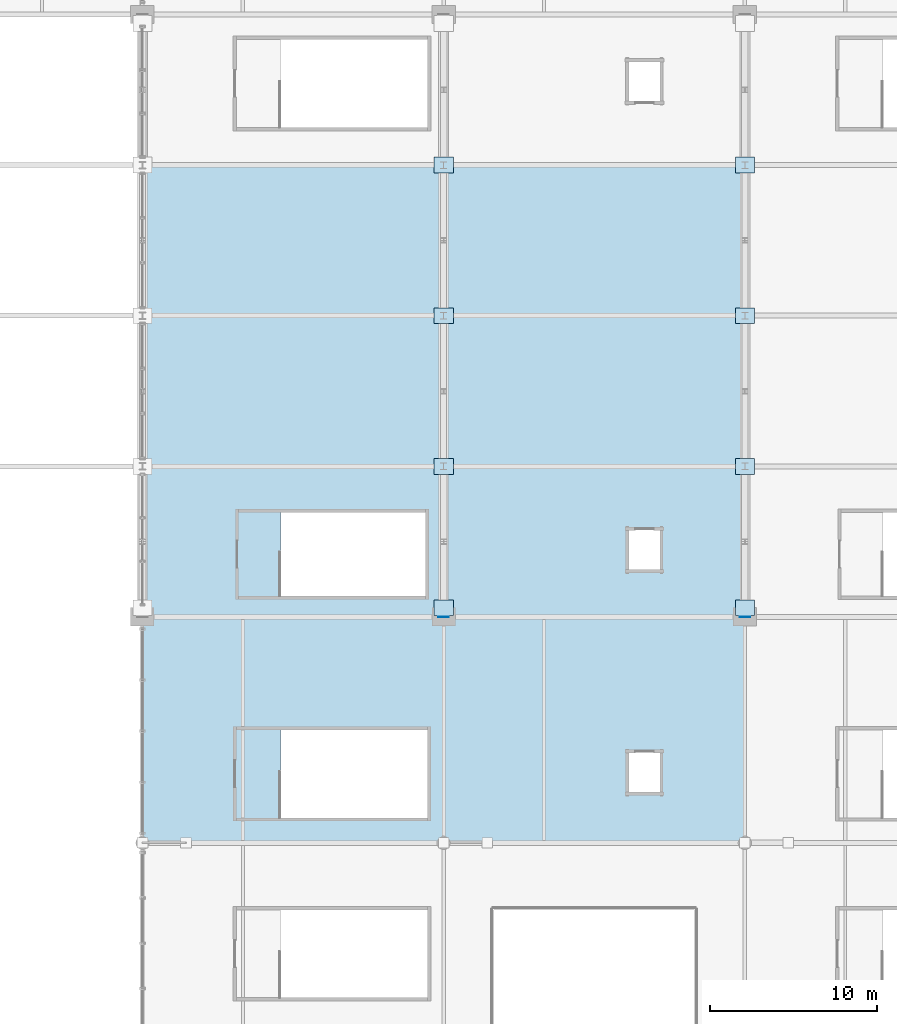
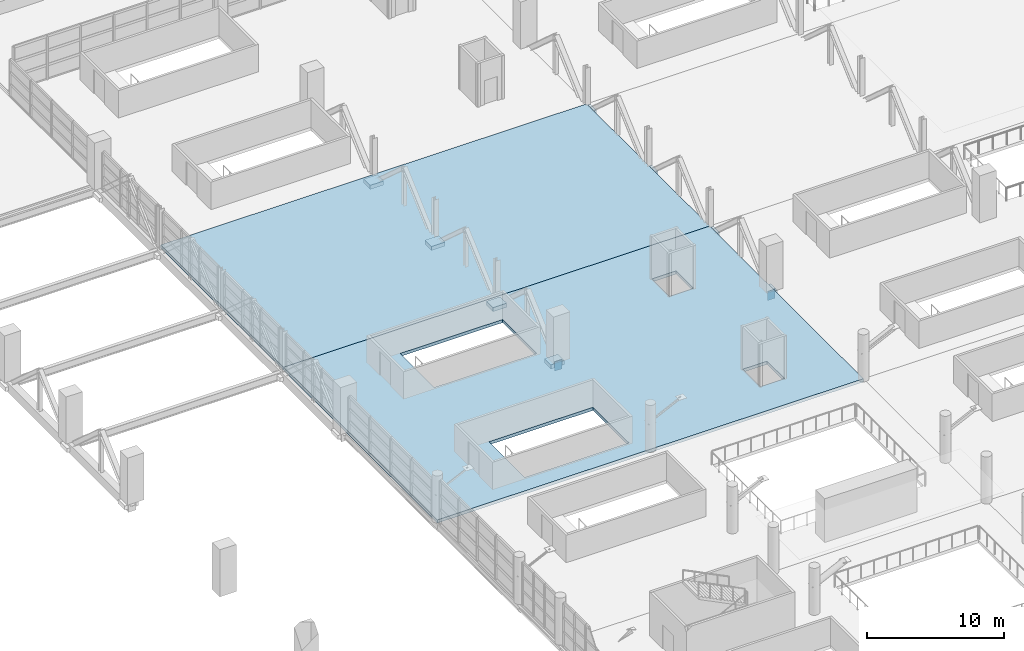
# One storey, part 102 of 136: 10 plates, 2 slabs.
"""IFC4 building model written with IfcOpenShell, lengths in metres."""

import ifcopenshell
import ifcopenshell.guid

model = None  # the IFC model being written
_history = None  # IfcOwnerHistory: only IFC2X3 demands one
_inside = {}  # id of a spatial element -> (the spatial element, [elements in it])
_under = {}  # id of a project, library or spatial element -> (it, [spatial elements below it])
_declared = {}  # id of a project -> (the project, [libraries it declares])
_typed = {}  # id of a type object -> (the type object, [elements of that type])
_made_of = {}  # id of a material, layer set ... -> (it, [elements and type objects made of it])


def new_model(schema):
    """Start an empty IFC model of exactly this schema.

    Asked for "IFC4X3", IfcOpenShell would pick the latest addendum, in which some entities
    have other attributes; the version numbers below select the first issue.
    IFC2X3 requires an IfcOwnerHistory on every rooted entity: one is made here for all.
    """
    global model, _history
    if schema == "IFC4X3":
        model = ifcopenshell.file(schema_version=(4, 3, 0, 0))
    else:
        model = ifcopenshell.file(schema=schema)
    _inside.clear()
    _under.clear()
    _declared.clear()
    _typed.clear()
    _made_of.clear()
    _history = None
    if model.schema == "IFC2X3":
        org = make("IfcOrganization", Name="unknown")
        user = make(
            "IfcPersonAndOrganization",
            ThePerson=make("IfcPerson", FamilyName="unknown"),
            TheOrganization=org,
        )
        app = make(
            "IfcApplication",
            ApplicationDeveloper=org,
            Version="unknown",
            ApplicationFullName="unknown",
            ApplicationIdentifier="unknown",
        )
        _history = make(
            "IfcOwnerHistory",
            OwningUser=user,
            OwningApplication=app,
            ChangeAction="ADDED",
            CreationDate=0,
        )
    return model


def make(cls, **values):
    """One entity of the class cls with the attributes given. An attribute that is None is left unset."""
    return model.create_entity(
        cls, **{name: value for name, value in values.items() if value is not None}
    )


def rooted(cls, **values):
    """An entity with a GlobalId (a new one), such as an element, a storey or a relation."""
    return make(cls, GlobalId=ifcopenshell.guid.new(), OwnerHistory=_history, **values)


def si_unit(unit_type, name, prefix=None):
    """IfcSIUnit, for example si_unit("LENGTHUNIT", "METRE", prefix="MILLI")."""
    return make("IfcSIUnit", UnitType=unit_type, Prefix=prefix, Name=name)


def assignment(units):
    """IfcUnitAssignment: the units of a project."""
    return None if units is None else make("IfcUnitAssignment", Units=units)


def point(xyz):
    """IfcCartesianPoint."""
    return None if xyz is None else make("IfcCartesianPoint", Coordinates=xyz)


def direction(xyz):
    """IfcDirection."""
    return None if xyz is None else make("IfcDirection", DirectionRatios=xyz)


def frame(location, z_axis=None, x_axis=None):
    """IfcAxis2Placement3D, a coordinate frame: its origin and axes. An axis left out is left unset."""
    return make(
        "IfcAxis2Placement3D",
        Location=point(location),
        Axis=direction(z_axis),
        RefDirection=direction(x_axis),
    )


def frame_2d(location, x_axis=None):
    """IfcAxis2Placement2D, a coordinate frame in the plane: its origin and x axis."""
    return make(
        "IfcAxis2Placement2D", Location=point(location), RefDirection=direction(x_axis)
    )


def origin():
    """The frame at (0, 0, 0) with its axes left unset."""
    return frame((0.0, 0.0, 0.0))


def origin_2d():
    """The frame at (0, 0) in the plane with its x axis left unset."""
    return frame_2d((0.0, 0.0))


def place(relative_to, where):
    """IfcLocalPlacement: puts the frame where relative to a parent placement (None: the world)."""
    return make(
        "IfcLocalPlacement", PlacementRelTo=relative_to, RelativePlacement=where
    )


def context(
    kind, dimensions, precision=None, world=None, true_north=None, identifier=None
):
    """IfcGeometricRepresentationContext, for example the 3D "Model" context."""
    return make(
        "IfcGeometricRepresentationContext",
        ContextIdentifier=identifier,
        ContextType=kind,
        CoordinateSpaceDimension=dimensions,
        Precision=precision,
        WorldCoordinateSystem=world,
        TrueNorth=true_north,
    )


def subcontext(parent, identifier, kind, view, scale=None):
    """IfcGeometricRepresentationSubContext, for example "Body" below "Model"."""
    return make(
        "IfcGeometricRepresentationSubContext",
        ContextIdentifier=identifier,
        ContextType=kind,
        ParentContext=parent,
        TargetScale=scale,
        TargetView=view,
    )


def project(units=None, contexts=None):
    """IfcProject with its units and contexts."""
    return rooted(
        "IfcProject",
        Name="project",
        RepresentationContexts=contexts,
        UnitsInContext=assignment(units),
    )


def spatial(cls, under=None, at=None, **own):
    """A site, building, storey or space (cls), placed at a placement, below another one or the project."""
    s = rooted(cls, ObjectPlacement=at, **own)
    if under is not None:
        _under.setdefault(under.id(), (under, []))[1].append(s)
    return s


def polyline(points):
    """IfcPolyline through the points."""
    return make("IfcPolyline", Points=[point(p) for p in points])


def profile(cls, at=None, kind="AREA", **sizes):
    """A parametric profile (cls). Its sizes go by their IFC names, for example OverallWidth=200.0."""
    return make(cls, ProfileType=kind, Position=at, **sizes)


def rectangle(**sizes):
    """IfcRectangleProfileDef."""
    return profile("IfcRectangleProfileDef", **sizes)


def outline(outer, holes=None, kind="AREA"):
    """IfcArbitraryClosedProfileDef: a profile drawn as a closed curve; with holes, ...WithVoids."""
    if holes is None:
        return make("IfcArbitraryClosedProfileDef", ProfileType=kind, OuterCurve=outer)
    return make(
        "IfcArbitraryProfileDefWithVoids",
        ProfileType=kind,
        OuterCurve=outer,
        InnerCurves=holes,
    )


def extrude(swept, where, along, depth):
    """IfcExtrudedAreaSolid: the profile swept, set in the frame where, extruded along a direction by depth."""
    return make(
        "IfcExtrudedAreaSolid",
        SweptArea=swept,
        Position=where,
        ExtrudedDirection=direction(along),
        Depth=depth,
    )


def shape(context_of_items, identifier, shape_type, items):
    """IfcShapeRepresentation: the items that make up one representation, for example the "Body"."""
    return make(
        "IfcShapeRepresentation",
        ContextOfItems=context_of_items,
        RepresentationIdentifier=identifier,
        RepresentationType=shape_type,
        Items=items,
    )


def material(Name=None, Category=None):
    """IfcMaterial."""
    return make("IfcMaterial", Name=Name, Category=Category)


def layer(
    of_material, thickness, ventilated=None, Name=None, Category=None, Priority=None
):
    """IfcMaterialLayer: one layer of a wall or slab, of a material (None: an air gap)."""
    return make(
        "IfcMaterialLayer",
        Material=of_material,
        LayerThickness=thickness,
        IsVentilated=ventilated,
        Name=Name,
        Category=Category,
        Priority=Priority,
    )


def layer_set(layers, Name=None):
    """IfcMaterialLayerSet."""
    return make("IfcMaterialLayerSet", MaterialLayers=layers, LayerSetName=Name)


def made_of(thing, what):
    """Note that an element or type object is made of a material, layer set ...; save() writes the relation."""
    if what is not None:
        _made_of.setdefault(what.id(), (what, []))[1].append(thing)
    return thing


def type_object(cls, material=None, **own):
    """A type object (cls), such as IfcWallType, which elements share."""
    return made_of(rooted(cls, **own), material)


def element(
    cls,
    number,
    at=None,
    inside=None,
    cuts=None,
    type_object=None,
    material=None,
    context=None,
    identifier="Body",
    shape_type=None,
    held_by="IfcProductDefinitionShape",
    body=None,
    shapes=None,
    **own,
):
    """One element of the class cls, such as IfcWall. Its Tag is "e" and its number.

    at: its placement. inside: the storey or other place that contains it. cuts: it is an
    opening in that element (IfcRelVoidsElement). A single representation is given by context,
    identifier, shape_type and body (its items); several are given by shapes. held_by: the class
    of the entity that holds the representations. save() writes the other relations.
    """
    e = rooted(cls, Tag="e%d" % number, ObjectPlacement=at, **own)
    if body is not None:
        shapes = [shape(context, identifier, shape_type, body)]
    if shapes is not None:
        e.Representation = make(held_by, Representations=shapes)
    if inside is not None:
        _inside.setdefault(inside.id(), (inside, []))[1].append(e)
    if cuts is not None:
        rooted(
            "IfcRelVoidsElement", RelatingBuildingElement=cuts, RelatedOpeningElement=e
        )
    if type_object is not None:
        _typed.setdefault(type_object.id(), (type_object, []))[1].append(e)
    return made_of(e, material)


def aggregate(whole, parts):
    """IfcRelAggregates: a whole, such as a stair, and the parts it consists of."""
    return rooted("IfcRelAggregates", RelatingObject=whole, RelatedObjects=parts)


def save(model, path):
    """Write the relations noted so far, then the file.

    IfcRelAggregates (storeys below a building ...), IfcRelContainedInSpatialStructure (elements
    in a storey), IfcRelDefinesByType, IfcRelAssociatesMaterial and IfcRelDeclares: one each for
    every whole, place, type object, material and project.
    """
    for whole, parts in _under.values():
        aggregate(whole, parts)
    for where, things in _inside.values():
        rooted(
            "IfcRelContainedInSpatialStructure",
            RelatedElements=things,
            RelatingStructure=where,
        )
    for kind, things in _typed.values():
        rooted("IfcRelDefinesByType", RelatedObjects=things, RelatingType=kind)
    for what, things in _made_of.values():
        rooted("IfcRelAssociatesMaterial", RelatedObjects=things, RelatingMaterial=what)
    for by, libraries in _declared.values():
        rooted("IfcRelDeclares", RelatingContext=by, RelatedDefinitions=libraries)
    model.write(path)


model = new_model("IFC4")

# Units and contexts
model_context = context("Model", 3, precision=1e-05, world=origin(), true_north=direction((0.0, 1.0)))
body_context = subcontext(model_context, "Body", "Model", "MODEL_VIEW")
ifc_project = project(units=[si_unit("LENGTHUNIT", "METRE"), si_unit("AREAUNIT", "SQUARE_METRE"), si_unit("VOLUMEUNIT", "CUBIC_METRE"), si_unit("PLANEANGLEUNIT", "RADIAN"), si_unit("MASSUNIT", "GRAM", prefix="KILO")], contexts=[model_context])

# Site, building, storey
site_placement = place(None, origin())
site = spatial("IfcSite", under=ifc_project, at=site_placement, CompositionType="ELEMENT")
building_placement = place(site_placement, origin())
building = spatial("IfcBuilding", under=site, at=building_placement, Name="Chuanluo Vaults Station", CompositionType="ELEMENT")
storey_placement = place(building_placement, frame((0.0, 0.0, 6.60009765625)))
storey = spatial("IfcBuildingStorey", under=building, at=storey_placement, Name="L01", CompositionType="ELEMENT", Elevation=6.60009765625)

# Plates
ifc_material_1 = material(Name="Steel Q390C", Category="steel")
ifc_layer_1 = layer(ifc_material_1, 0.0400390625)
ifc_layer_set_1 = layer_set([ifc_layer_1], Name="Steel Q390C")
plate_type_1 = type_object("IfcPlateType", Name="PLT-BASE-40", PredefinedType="USERDEFINED", material=ifc_layer_set_1)
for number, where, z_axis, x_axis, name in (
    (1, (36.0, 94.5, -0.8603515625), (0.0, 0.0, 1.0), (1.0, 0.0, 0.0), "Structural steel node diaphragm 0014"),
    (2, (54.0, 94.5, -0.8603515625), (0.0, 0.0, 1.0), (1.0, 0.0, 0.0), "Structural steel node diaphragm 0019"),
):
    element("IfcPlate", number, at=place(storey_placement, frame(where, z_axis=z_axis, x_axis=x_axis)), inside=storey, type_object=plate_type_1, Name=name, ObjectType="BASE_PLATE", PredefinedType="USERDEFINED", context=body_context, shape_type="SweptSolid", body=[
        extrude(rectangle(XDim=1.14990234375, YDim=0.949951171875, at=origin_2d()), origin(), (0.0, 0.0, 1.0), 0.360107421875),
    ])
ifc_material_2 = material(Name="Steel Q390C", Category="steel")
ifc_layer_2 = layer(ifc_material_2, 0.02587890625)
ifc_layer_set_2 = layer_set([ifc_layer_2], Name="Steel Q390C")
plate_type_2 = type_object("IfcPlateType", Name="PLT-CAP-26", PredefinedType="USERDEFINED", material=ifc_layer_set_2)
for number, where, z_axis, x_axis, name in (
    (3, (36.0, 67.5, -1.10009765625), (0.0, 0.0, 1.0), (1.0, 0.0, 0.0), "Truss TT-3 bottom chord end cap S"),
    (4, (54.0, 67.5, -1.10009765625), (0.0, 0.0, 1.0), (1.0, 0.0, 0.0), "Truss TT-4 bottom chord end cap S"),
):
    element("IfcPlate", number, at=place(storey_placement, frame(where, z_axis=z_axis, x_axis=x_axis)), inside=storey, type_object=plate_type_2, Name=name, ObjectType="COVER_PLATE", PredefinedType="USERDEFINED", context=body_context, shape_type="SweptSolid", body=[
        extrude(rectangle(XDim=0.639892578125, YDim=0.02587890625, at=origin_2d()), origin(), (0.0, 0.0, 1.0), 0.840087890625),
    ])
ifc_material_3 = material(Name="Steel Q355C", Category="steel")
ifc_layer_3 = layer(ifc_material_3, 0.02001953125)
ifc_layer_set_3 = layer_set([ifc_layer_3], Name="Steel Q355C")
plate_type_3 = type_object("IfcPlateType", Name="PLT-GUS-20", PredefinedType="USERDEFINED", material=ifc_layer_set_3)
for number, where, z_axis, x_axis, name in (
    (5, (36.0, 76.5, -0.8603515625), (0.0, 0.0, 1.0), (1.0, 0.0, 0.0), "Structural steel node diaphragm 0012"),
    (6, (54.0, 76.5, -0.8603515625), (0.0, 0.0, 1.0), (1.0, 0.0, 0.0), "Structural steel node diaphragm 0017"),
):
    element("IfcPlate", number, at=place(storey_placement, frame(where, z_axis=z_axis, x_axis=x_axis)), inside=storey, type_object=plate_type_3, Name=name, ObjectType="STIFFENER_PLATE", PredefinedType="USERDEFINED", context=body_context, shape_type="SweptSolid", body=[
        extrude(rectangle(XDim=1.14990234375, YDim=0.949951171875, at=origin_2d()), origin(), (0.0, 0.0, 1.0), 0.360107421875),
    ])
ifc_material_4 = material(Name="Steel Q390C", Category="steel")
ifc_layer_4 = layer(ifc_material_4, 0.028076171875)
ifc_layer_set_4 = layer_set([ifc_layer_4], Name="Steel Q390C")
plate_type_4 = type_object("IfcPlateType", Name="PLT-GUS-28", PredefinedType="USERDEFINED", material=ifc_layer_set_4)
for number, where, z_axis, x_axis, name in (
    (7, (36.0, 68.050048828125, -0.8603515625), (0.0, 0.0, 1.0), (1.0, 0.0, 0.0), "Structural steel node diaphragm 0011"),
    (8, (54.0, 68.050048828125, -0.8603515625), (0.0, 0.0, 1.0), (1.0, 0.0, 0.0), "Structural steel node diaphragm 0016"),
):
    element("IfcPlate", number, at=place(storey_placement, frame(where, z_axis=z_axis, x_axis=x_axis)), inside=storey, type_object=plate_type_4, Name=name, ObjectType="GUSSET_PLATE", PredefinedType="USERDEFINED", context=body_context, shape_type="SweptSolid", body=[
        extrude(rectangle(XDim=1.14990234375, YDim=0.949951171875, at=origin_2d()), origin(), (0.0, 0.0, 1.0), 0.360107421875),
    ])
ifc_material_5 = material(Name="Steel Q355C", Category="steel")
ifc_layer_5 = layer(ifc_material_5, 0.02197265625)
ifc_layer_set_5 = layer_set([ifc_layer_5], Name="Steel Q355C")
plate_type_5 = type_object("IfcPlateType", Name="PLT-SPL-22", PredefinedType="USERDEFINED", material=ifc_layer_set_5)
for number, where, z_axis, x_axis, name in (
    (9, (36.0, 85.5, -0.8603515625), (0.0, 0.0, 1.0), (1.0, 0.0, 0.0), "Structural steel node diaphragm 0013"),
    (10, (54.0, 85.5, -0.8603515625), (0.0, 0.0, 1.0), (1.0, 0.0, 0.0), "Structural steel node diaphragm 0018"),
):
    element("IfcPlate", number, at=place(storey_placement, frame(where, z_axis=z_axis, x_axis=x_axis)), inside=storey, type_object=plate_type_5, Name=name, ObjectType="SPLICE_PLATE", PredefinedType="USERDEFINED", context=body_context, shape_type="SweptSolid", body=[
        extrude(rectangle(XDim=1.14990234375, YDim=0.949951171875, at=origin_2d()), origin(), (0.0, 0.0, 1.0), 0.360107421875),
    ])

# Slabs
ifc_material_6 = material(Name="Concrete C40", Category="concrete")
ifc_layer_6 = layer(ifc_material_6, 0.280029296875)
ifc_layer_set_6 = layer_set([ifc_layer_6], Name="Concrete C40")
slab_type = type_object("IfcSlabType", Name="SLB-CON-280", PredefinedType="FLOOR", material=ifc_layer_set_6)
slab_1_placement = place(storey_placement, frame((0.0, 0.0, -0.280029296875)))
element("IfcSlab", 11, at=slab_1_placement, inside=storey, type_object=slab_type, Name="L01 OTRK slab 01", PredefinedType="FLOOR", context=body_context, shape_type="SweptSolid", body=[
    extrude(outline(polyline([(18.0, 54.0), (54.0, 54.0), (54.0, 76.5), (18.0, 76.5), (18.0, 54.0)]), holes=[polyline([(26.25390625, 55.5), (35.050048828125, 55.5), (35.050048828125, 60.75), (26.25390625, 60.75), (26.25390625, 55.5)]), polyline([(26.25390625, 68.75), (34.925048828125, 68.75), (34.925048828125, 73.75), (26.25390625, 73.75), (26.25390625, 68.75)]), polyline([(46.97998046875, 56.929931640625), (49.02001953125, 56.929931640625), (49.02001953125, 59.469970703125), (46.97998046875, 59.469970703125), (46.97998046875, 56.929931640625)]), polyline([(46.97998046875, 70.22998046875), (49.02001953125, 70.22998046875), (49.02001953125, 72.77001953125), (46.97998046875, 72.77001953125), (46.97998046875, 70.22998046875)])]), origin(), (0.0, 0.0, 1.0), 0.280029296875),
])
slab_2_placement = place(storey_placement, frame((0.0, 0.0, -0.280029296875)))
element("IfcSlab", 12, at=slab_2_placement, inside=storey, type_object=slab_type, Name="L01 OTRK slab 02", PredefinedType="FLOOR", context=body_context, shape_type="SweptSolid", body=[
    extrude(outline(polyline([(18.0, 76.5), (54.0, 76.5), (54.0, 94.5), (18.0, 94.5), (18.0, 76.5)])), origin(), (0.0, 0.0, 1.0), 0.280029296875),
])

save(model, "model.ifc")
